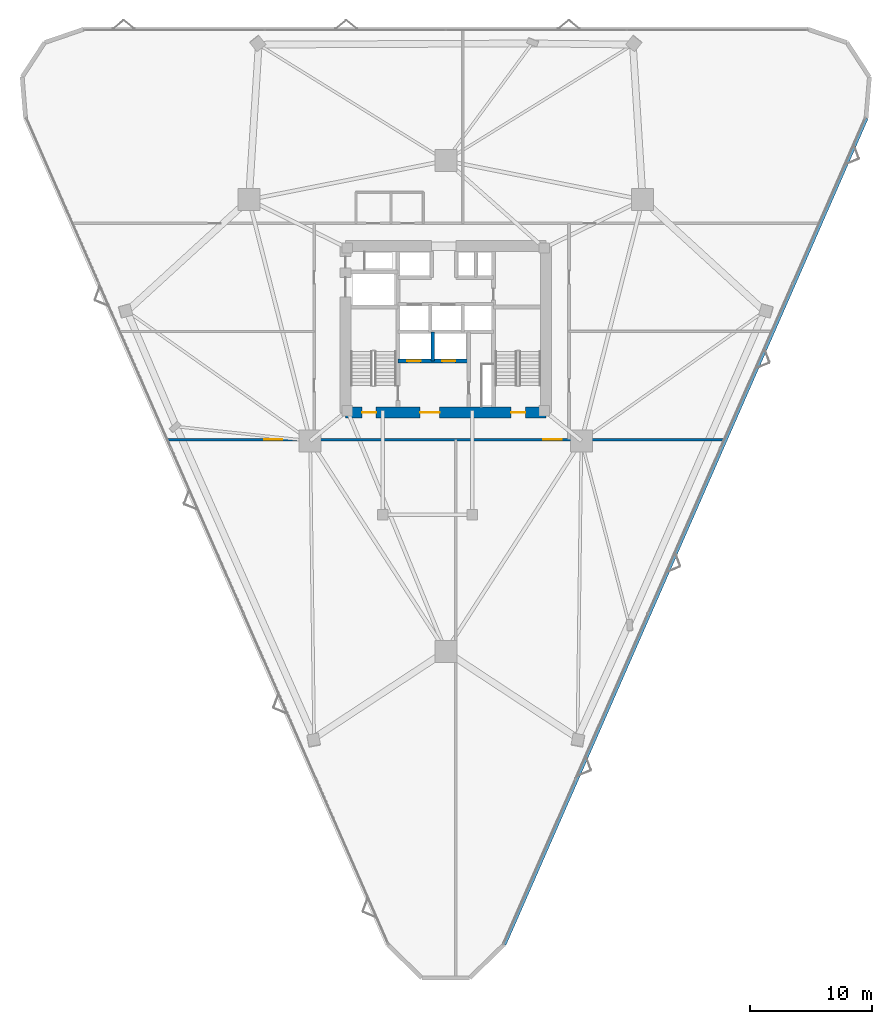
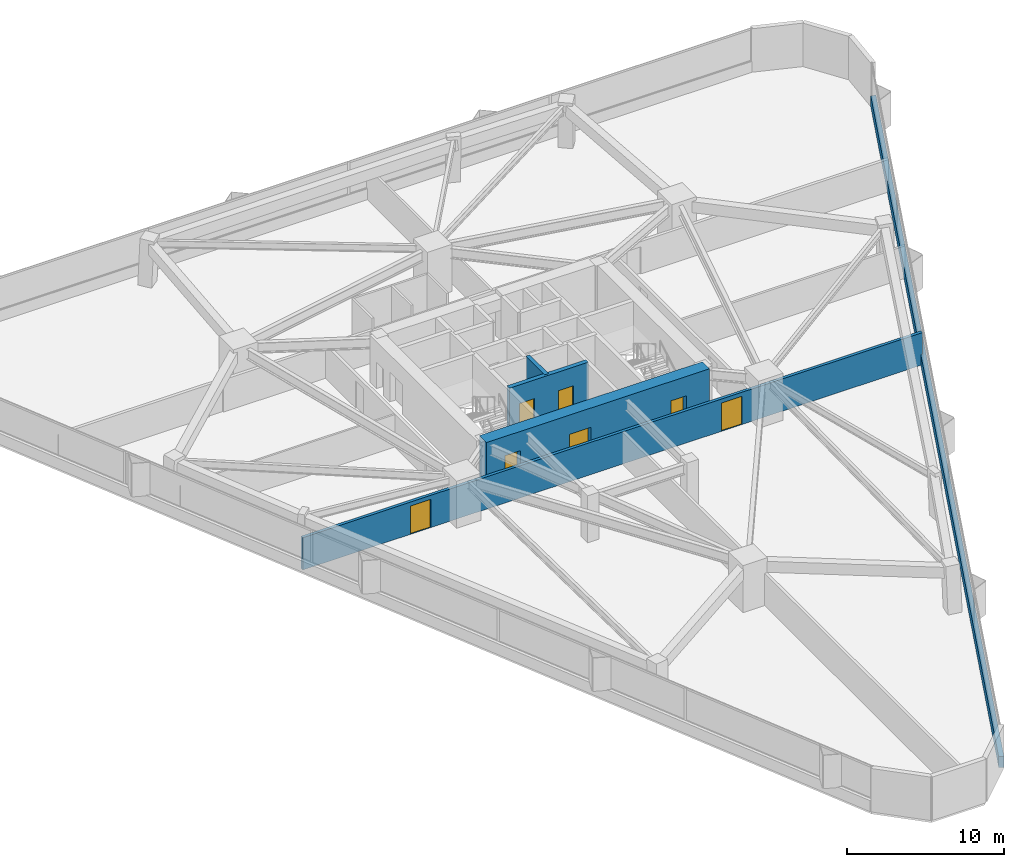
# One storey, part 18 of 20: 7 doors, 5 walls, 7 openings.
"""IFC4 building model written with IfcOpenShell, lengths in metres."""

import ifcopenshell
import ifcopenshell.guid

model = None  # the IFC model being written
_history = None  # IfcOwnerHistory: only IFC2X3 demands one
_inside = {}  # id of a spatial element -> (the spatial element, [elements in it])
_under = {}  # id of a project, library or spatial element -> (it, [spatial elements below it])
_declared = {}  # id of a project -> (the project, [libraries it declares])
_typed = {}  # id of a type object -> (the type object, [elements of that type])
_made_of = {}  # id of a material, layer set ... -> (it, [elements and type objects made of it])


def new_model(schema):
    """Start an empty IFC model of exactly this schema.

    Asked for "IFC4X3", IfcOpenShell would pick the latest addendum, in which some entities
    have other attributes; the version numbers below select the first issue.
    IFC2X3 requires an IfcOwnerHistory on every rooted entity: one is made here for all.
    """
    global model, _history
    if schema == "IFC4X3":
        model = ifcopenshell.file(schema_version=(4, 3, 0, 0))
    else:
        model = ifcopenshell.file(schema=schema)
    _inside.clear()
    _under.clear()
    _declared.clear()
    _typed.clear()
    _made_of.clear()
    _history = None
    if model.schema == "IFC2X3":
        org = make("IfcOrganization", Name="unknown")
        user = make(
            "IfcPersonAndOrganization",
            ThePerson=make("IfcPerson", FamilyName="unknown"),
            TheOrganization=org,
        )
        app = make(
            "IfcApplication",
            ApplicationDeveloper=org,
            Version="unknown",
            ApplicationFullName="unknown",
            ApplicationIdentifier="unknown",
        )
        _history = make(
            "IfcOwnerHistory",
            OwningUser=user,
            OwningApplication=app,
            ChangeAction="ADDED",
            CreationDate=0,
        )
    return model


def make(cls, **values):
    """One entity of the class cls with the attributes given. An attribute that is None is left unset."""
    return model.create_entity(
        cls, **{name: value for name, value in values.items() if value is not None}
    )


def rooted(cls, **values):
    """An entity with a GlobalId (a new one), such as an element, a storey or a relation."""
    return make(cls, GlobalId=ifcopenshell.guid.new(), OwnerHistory=_history, **values)


def si_unit(unit_type, name, prefix=None):
    """IfcSIUnit, for example si_unit("LENGTHUNIT", "METRE", prefix="MILLI")."""
    return make("IfcSIUnit", UnitType=unit_type, Prefix=prefix, Name=name)


def assignment(units):
    """IfcUnitAssignment: the units of a project."""
    return None if units is None else make("IfcUnitAssignment", Units=units)


def point(xyz):
    """IfcCartesianPoint."""
    return None if xyz is None else make("IfcCartesianPoint", Coordinates=xyz)


def direction(xyz):
    """IfcDirection."""
    return None if xyz is None else make("IfcDirection", DirectionRatios=xyz)


def frame(location, z_axis=None, x_axis=None):
    """IfcAxis2Placement3D, a coordinate frame: its origin and axes. An axis left out is left unset."""
    return make(
        "IfcAxis2Placement3D",
        Location=point(location),
        Axis=direction(z_axis),
        RefDirection=direction(x_axis),
    )


def frame_2d(location, x_axis=None):
    """IfcAxis2Placement2D, a coordinate frame in the plane: its origin and x axis."""
    return make(
        "IfcAxis2Placement2D", Location=point(location), RefDirection=direction(x_axis)
    )


def origin():
    """The frame at (0, 0, 0) with its axes left unset."""
    return frame((0.0, 0.0, 0.0))


def place(relative_to, where):
    """IfcLocalPlacement: puts the frame where relative to a parent placement (None: the world)."""
    return make(
        "IfcLocalPlacement", PlacementRelTo=relative_to, RelativePlacement=where
    )


def context(
    kind, dimensions, precision=None, world=None, true_north=None, identifier=None
):
    """IfcGeometricRepresentationContext, for example the 3D "Model" context."""
    return make(
        "IfcGeometricRepresentationContext",
        ContextIdentifier=identifier,
        ContextType=kind,
        CoordinateSpaceDimension=dimensions,
        Precision=precision,
        WorldCoordinateSystem=world,
        TrueNorth=true_north,
    )


def subcontext(parent, identifier, kind, view, scale=None):
    """IfcGeometricRepresentationSubContext, for example "Body" below "Model"."""
    return make(
        "IfcGeometricRepresentationSubContext",
        ContextIdentifier=identifier,
        ContextType=kind,
        ParentContext=parent,
        TargetScale=scale,
        TargetView=view,
    )


def project(units=None, contexts=None):
    """IfcProject with its units and contexts."""
    return rooted(
        "IfcProject",
        Name="project",
        RepresentationContexts=contexts,
        UnitsInContext=assignment(units),
    )


def spatial(cls, under=None, at=None, **own):
    """A site, building, storey or space (cls), placed at a placement, below another one or the project."""
    s = rooted(cls, ObjectPlacement=at, **own)
    if under is not None:
        _under.setdefault(under.id(), (under, []))[1].append(s)
    return s


def profile(cls, at=None, kind="AREA", **sizes):
    """A parametric profile (cls). Its sizes go by their IFC names, for example OverallWidth=200.0."""
    return make(cls, ProfileType=kind, Position=at, **sizes)


def rectangle(**sizes):
    """IfcRectangleProfileDef."""
    return profile("IfcRectangleProfileDef", **sizes)


def extrude(swept, where, along, depth):
    """IfcExtrudedAreaSolid: the profile swept, set in the frame where, extruded along a direction by depth."""
    return make(
        "IfcExtrudedAreaSolid",
        SweptArea=swept,
        Position=where,
        ExtrudedDirection=direction(along),
        Depth=depth,
    )


def shape(context_of_items, identifier, shape_type, items):
    """IfcShapeRepresentation: the items that make up one representation, for example the "Body"."""
    return make(
        "IfcShapeRepresentation",
        ContextOfItems=context_of_items,
        RepresentationIdentifier=identifier,
        RepresentationType=shape_type,
        Items=items,
    )


def material(Name=None, Category=None):
    """IfcMaterial."""
    return make("IfcMaterial", Name=Name, Category=Category)


def layer(
    of_material, thickness, ventilated=None, Name=None, Category=None, Priority=None
):
    """IfcMaterialLayer: one layer of a wall or slab, of a material (None: an air gap)."""
    return make(
        "IfcMaterialLayer",
        Material=of_material,
        LayerThickness=thickness,
        IsVentilated=ventilated,
        Name=Name,
        Category=Category,
        Priority=Priority,
    )


def layer_set(layers, Name=None):
    """IfcMaterialLayerSet."""
    return make("IfcMaterialLayerSet", MaterialLayers=layers, LayerSetName=Name)


def made_of(thing, what):
    """Note that an element or type object is made of a material, layer set ...; save() writes the relation."""
    if what is not None:
        _made_of.setdefault(what.id(), (what, []))[1].append(thing)
    return thing


def type_object(cls, material=None, **own):
    """A type object (cls), such as IfcWallType, which elements share."""
    return made_of(rooted(cls, **own), material)


def element(
    cls,
    number,
    at=None,
    inside=None,
    cuts=None,
    type_object=None,
    material=None,
    context=None,
    identifier="Body",
    shape_type=None,
    held_by="IfcProductDefinitionShape",
    body=None,
    shapes=None,
    **own,
):
    """One element of the class cls, such as IfcWall. Its Tag is "e" and its number.

    at: its placement. inside: the storey or other place that contains it. cuts: it is an
    opening in that element (IfcRelVoidsElement). A single representation is given by context,
    identifier, shape_type and body (its items); several are given by shapes. held_by: the class
    of the entity that holds the representations. save() writes the other relations.
    """
    e = rooted(cls, Tag="e%d" % number, ObjectPlacement=at, **own)
    if body is not None:
        shapes = [shape(context, identifier, shape_type, body)]
    if shapes is not None:
        e.Representation = make(held_by, Representations=shapes)
    if inside is not None:
        _inside.setdefault(inside.id(), (inside, []))[1].append(e)
    if cuts is not None:
        rooted(
            "IfcRelVoidsElement", RelatingBuildingElement=cuts, RelatedOpeningElement=e
        )
    if type_object is not None:
        _typed.setdefault(type_object.id(), (type_object, []))[1].append(e)
    return made_of(e, material)


def fill(opening, filler):
    """IfcRelFillsElement: the door or window that sits in an opening."""
    return rooted(
        "IfcRelFillsElement",
        RelatingOpeningElement=opening,
        RelatedBuildingElement=filler,
    )


def aggregate(whole, parts):
    """IfcRelAggregates: a whole, such as a stair, and the parts it consists of."""
    return rooted("IfcRelAggregates", RelatingObject=whole, RelatedObjects=parts)


def save(model, path):
    """Write the relations noted so far, then the file.

    IfcRelAggregates (storeys below a building ...), IfcRelContainedInSpatialStructure (elements
    in a storey), IfcRelDefinesByType, IfcRelAssociatesMaterial and IfcRelDeclares: one each for
    every whole, place, type object, material and project.
    """
    for whole, parts in _under.values():
        aggregate(whole, parts)
    for where, things in _inside.values():
        rooted(
            "IfcRelContainedInSpatialStructure",
            RelatedElements=things,
            RelatingStructure=where,
        )
    for kind, things in _typed.values():
        rooted("IfcRelDefinesByType", RelatedObjects=things, RelatingType=kind)
    for what, things in _made_of.values():
        rooted("IfcRelAssociatesMaterial", RelatedObjects=things, RelatingMaterial=what)
    for by, libraries in _declared.values():
        rooted("IfcRelDeclares", RelatingContext=by, RelatedDefinitions=libraries)
    model.write(path)


model = new_model("IFC4")

# Units and contexts
model_context = context("Model", 3, precision=1e-05, world=origin(), true_north=direction((0.0, 1.0)))
body_context = subcontext(model_context, "Body", "Model", "MODEL_VIEW")
ifc_project = project(units=[si_unit("LENGTHUNIT", "METRE"), si_unit("AREAUNIT", "SQUARE_METRE"), si_unit("VOLUMEUNIT", "CUBIC_METRE"), si_unit("PLANEANGLEUNIT", "RADIAN"), si_unit("MASSUNIT", "GRAM", prefix="KILO")], contexts=[model_context])

# Site, building, storey
site_placement = place(None, origin())
site = spatial("IfcSite", under=ifc_project, at=site_placement, CompositionType="ELEMENT")
building_placement = place(site_placement, origin())
building = spatial("IfcBuilding", under=site, at=building_placement, Name="Talyreon Biosciences Tower", CompositionType="ELEMENT")
storey_placement = place(building_placement, frame((0.0, 0.0, 26.449951171875)))
storey = spatial("IfcBuildingStorey", under=building, at=storey_placement, Name="L06", CompositionType="ELEMENT", Elevation=26.449951171875)

# Wall
ifc_material_1 = material(Name="Concrete C50/60", Category="concrete")
ifc_layer_1 = layer(ifc_material_1, 0.280029296875)
ifc_layer_set_1 = layer_set([ifc_layer_1], Name="Concrete C50/60")
wall_type_1 = type_object("IfcWallType", Name="CoreShearWall_280", PredefinedType="SHEAR", material=ifc_layer_set_1)
wall_1_placement = place(storey_placement, frame((64.919921875, 65.39990234375, 0.0), z_axis=(0.0, 0.0, 1.0), x_axis=(0.0, 1.0, 0.0)))
element("IfcWall", 1, at=wall_1_placement, inside=storey, type_object=wall_type_1, Name="L06 Core Shaft Wall SWSHD1", PredefinedType="SHEAR", context=body_context, shape_type="SweptSolid", body=[
    extrude(rectangle(XDim=2.400146484375, YDim=0.280029296875, at=frame_2d((1.2001953125, 0.0))), origin(), (0.0, 0.0, 1.0), 3.650146484375),
])

# Wall, openings, doors
ifc_layer_2 = layer(ifc_material_1, 0.320068359375)
ifc_layer_set_2 = layer_set([ifc_layer_2], Name="Concrete C50/60")
wall_type_2 = type_object("IfcWallType", Name="CoreShearWall_320", PredefinedType="SHEAR", material=ifc_layer_set_2)
wall_2_placement = place(storey_placement, frame((62.090087890625, 65.39990234375, 0.0), z_axis=(0.0, 0.0, 1.0), x_axis=(1.0, 0.0, 0.0)))
wall_2 = element("IfcWall", 2, at=wall_2_placement, inside=storey, type_object=wall_type_2, Name="L06 Core Shaft Wall SWFFN", PredefinedType="SHEAR", context=body_context, shape_type="SweptSolid", body=[
    extrude(rectangle(XDim=5.789794921875, YDim=0.320068359375, at=frame_2d((2.89501953125, 0.0))), origin(), (0.0, 0.0, 1.0), 3.650146484375),
])
opening_1_placement = place(wall_2_placement, frame((0.75, 0.0, 0.0)))
opening_1 = element("IfcOpeningElement", 3, at=opening_1_placement, cuts=wall_2, Name="Opening LD-L06-FL1", PredefinedType="OPENING", context=body_context, shape_type="SweptSolid", body=[
    extrude(rectangle(XDim=1.10009765625, YDim=2.199951171875, at=frame_2d((0.550048828125, 1.10009765625))), frame((0.0, 0.169921875, 0.0), z_axis=(0.0, -1.0, 0.0), x_axis=(1.0, 0.0, 0.0)), (0.0, 0.0, 1.0), 0.340087890625),
])
opening_2_placement = place(wall_2_placement, frame((3.60009765625, 0.0, 0.0)))
opening_2 = element("IfcOpeningElement", 4, at=opening_2_placement, cuts=wall_2, Name="Opening LD-L06-FL2", PredefinedType="OPENING", context=body_context, shape_type="SweptSolid", body=[
    extrude(rectangle(XDim=1.10009765625, YDim=2.199951171875, at=frame_2d((0.550048828125, 1.10009765625))), frame((0.0, 0.169921875, 0.0), z_axis=(0.0, -1.0, 0.0), x_axis=(1.0, 0.0, 0.0)), (0.0, 0.0, 1.0), 0.340087890625),
])
ifc_material_2 = material(Name="Brushed stainless-steel lift landing door", Category="steel")
door_type_1 = type_object("IfcDoorType", Name="LiftSlidingLandingDoor_1100x2200", OperationType="SLIDING_TO_LEFT", PredefinedType="DOOR", material=ifc_material_2)
door_1_placement = place(opening_1_placement, origin())
door_1 = element("IfcDoor", 5, at=door_1_placement, inside=storey, type_object=door_type_1, Name="L06 Core Door LD-L06-FL1", OperationType="SLIDING_TO_LEFT", OverallHeight=2.199951171875, OverallWidth=1.10009765625, PredefinedType="DOOR", context=body_context, shape_type="SweptSolid", body=[
    extrude(rectangle(XDim=1.10009765625, YDim=2.199951171875, at=frame_2d((0.550048828125, 1.10009765625))), frame((0.0, 0.02490234375, 0.0), z_axis=(0.0, -1.0, 0.0), x_axis=(1.0, 0.0, 0.0)), (0.0, 0.0, 1.0), 0.050048828125),
])
fill(opening_1, door_1)
door_2_placement = place(opening_2_placement, origin())
door_2 = element("IfcDoor", 6, at=door_2_placement, inside=storey, type_object=door_type_1, Name="L06 Core Door LD-L06-FL2", OperationType="SLIDING_TO_LEFT", OverallHeight=2.199951171875, OverallWidth=1.10009765625, PredefinedType="DOOR", context=body_context, shape_type="SweptSolid", body=[
    extrude(rectangle(XDim=1.10009765625, YDim=2.199951171875, at=frame_2d((0.550048828125, 1.10009765625))), frame((0.0, 0.02490234375, 0.0), z_axis=(0.0, -1.0, 0.0), x_axis=(1.0, 0.0, 0.0)), (0.0, 0.0, 1.0), 0.050048828125),
])
fill(opening_2, door_2)

ifc_material_3 = material(Name="Concrete C60/75", Category="concrete")
ifc_layer_3 = layer(ifc_material_3, 0.89990234375)
ifc_layer_set_3 = layer_set([ifc_layer_3], Name="Concrete C60/75")
wall_type_3 = type_object("IfcWallType", Name="CoreShearWall_900", PredefinedType="SHEAR", material=ifc_layer_set_3)
wall_3_placement = place(storey_placement, frame((57.800048828125, 61.199951171875, 0.0), z_axis=(0.0, 0.0, 1.0), x_axis=(1.0, 0.0, 0.0)))
wall_3 = element("IfcWall", 7, at=wall_3_placement, inside=storey, type_object=wall_type_3, Name="L06 Core Shear Wall S", PredefinedType="SHEAR", context=body_context, shape_type="SweptSolid", body=[
    extrude(rectangle(XDim=16.39990234375, YDim=0.89990234375, at=frame_2d((8.199951171875, 0.0))), origin(), (0.0, 0.0, 1.0), 3.650146484375),
])
opening_3_placement = place(wall_3_placement, frame((1.35009765625, 0.0, 0.0)))
opening_3 = element("IfcOpeningElement", 8, at=opening_3_placement, cuts=wall_3, Name="Opening DR-L06-ST1", PredefinedType="OPENING", context=body_context, shape_type="SweptSolid", body=[
    extrude(rectangle(XDim=1.14990234375, YDim=2.14990234375, at=frame_2d((0.574951171875, 1.074951171875))), frame((0.0, 0.4599609375, 0.0), z_axis=(0.0, -1.0, 0.0), x_axis=(1.0, 0.0, 0.0)), (0.0, 0.0, 1.0), 0.919921875),
])
opening_4_placement = place(wall_3_placement, frame((6.10009765625, 0.0, 0.0)))
opening_4 = element("IfcOpeningElement", 9, at=opening_4_placement, cuts=wall_3, Name="Opening DR-L06-FFL", PredefinedType="OPENING", context=body_context, shape_type="SweptSolid", body=[
    extrude(rectangle(XDim=1.60009765625, YDim=2.14990234375, at=frame_2d((0.800048828125, 1.074951171875))), frame((0.0, 0.4599609375, 0.0), z_axis=(0.0, -1.0, 0.0), x_axis=(1.0, 0.0, 0.0)), (0.0, 0.0, 1.0), 0.919921875),
])
opening_5_placement = place(wall_3_placement, frame((13.550048828125, 0.0, 0.0)))
opening_5 = element("IfcOpeningElement", 10, at=opening_5_placement, cuts=wall_3, Name="Opening DR-L06-ST2", PredefinedType="OPENING", context=body_context, shape_type="SweptSolid", body=[
    extrude(rectangle(XDim=1.14990234375, YDim=2.14990234375, at=frame_2d((0.574951171875, 1.074951171875))), frame((0.0, 0.4599609375, 0.0), z_axis=(0.0, -1.0, 0.0), x_axis=(1.0, 0.0, 0.0)), (0.0, 0.0, 1.0), 0.919921875),
])
ifc_material_4 = material(Name="Painted steel smoke-seal fire door", Category="steel")
door_type_2 = type_object("IfcDoorType", Name="FirefightingLobbyDoubleDoor_1600x2150", OperationType="DOUBLE_DOOR_SINGLE_SWING", PredefinedType="DOOR", material=ifc_material_4)
door_3_placement = place(opening_4_placement, origin())
door_3 = element("IfcDoor", 11, at=door_3_placement, inside=storey, type_object=door_type_2, Name="L06 Core Door DR-L06-FFL", OperationType="DOUBLE_DOOR_SINGLE_SWING", OverallHeight=2.14990234375, OverallWidth=1.60009765625, PredefinedType="DOOR", context=body_context, shape_type="SweptSolid", body=[
    extrude(rectangle(XDim=1.60009765625, YDim=2.14990234375, at=frame_2d((0.800048828125, 1.074951171875))), frame((0.0, 0.02490234375, 0.0), z_axis=(0.0, -1.0, 0.0), x_axis=(1.0, 0.0, 0.0)), (0.0, 0.0, 1.0), 0.050048828125),
])
fill(opening_4, door_3)
ifc_material_5 = material(Name="Painted steel fire door", Category="steel")
door_type_3 = type_object("IfcDoorType", Name="StairShaftFireDoor_1150x2150", OperationType="NOTDEFINED", PredefinedType="DOOR", material=ifc_material_5)
door_4_placement = place(opening_3_placement, origin())
door_4 = element("IfcDoor", 12, at=door_4_placement, inside=storey, type_object=door_type_3, Name="L06 Core Door DR-L06-ST1", OperationType="SINGLE_SWING_LEFT", OverallHeight=2.14990234375, OverallWidth=1.14990234375, PredefinedType="DOOR", context=body_context, shape_type="SweptSolid", body=[
    extrude(rectangle(XDim=1.14990234375, YDim=2.14990234375, at=frame_2d((0.574951171875, 1.074951171875))), frame((0.0, 0.02490234375, 0.0), z_axis=(0.0, -1.0, 0.0), x_axis=(1.0, 0.0, 0.0)), (0.0, 0.0, 1.0), 0.050048828125),
])
fill(opening_3, door_4)
door_5_placement = place(opening_5_placement, origin())
door_5 = element("IfcDoor", 13, at=door_5_placement, inside=storey, type_object=door_type_3, Name="L06 Core Door DR-L06-ST2", OperationType="SINGLE_SWING_RIGHT", OverallHeight=2.14990234375, OverallWidth=1.14990234375, PredefinedType="DOOR", context=body_context, shape_type="SweptSolid", body=[
    extrude(rectangle(XDim=1.14990234375, YDim=2.14990234375, at=frame_2d((0.574951171875, 1.074951171875))), frame((0.0, 0.02490234375, 0.0), z_axis=(0.0, -1.0, 0.0), x_axis=(1.0, 0.0, 0.0)), (0.0, 0.0, 1.0), 0.050048828125),
])
fill(opening_5, door_5)

ifc_material_6 = material(Name="Gypsum fireboard acoustic stud", Category="gypsum")
ifc_layer_4 = layer(ifc_material_6, 0.219970703125)
ifc_layer_set_4 = layer_set([ifc_layer_4], Name="Gypsum fireboard acoustic stud")
wall_type_4 = type_object("IfcWallType", Name="CorridorRatedPartition_220", PredefinedType="PARTITIONING", material=ifc_layer_set_4)
wall_4_placement = place(storey_placement, frame((43.237060546875, 58.97998046875, 0.0), z_axis=(0.0, 0.0, 1.0), x_axis=(1.0, 0.0, 0.0)))
wall_4 = element("IfcWall", 14, at=wall_4_placement, inside=storey, type_object=wall_type_4, Name="L06 Interior Wall IW-L06-COR-S", PredefinedType="PARTITIONING", context=body_context, shape_type="SweptSolid", body=[
    extrude(rectangle(XDim=45.52587890625, YDim=0.219970703125, at=frame_2d((22.762939453125, 0.0))), origin(), (0.0, 0.0, 1.0), 2.505126953125),
])
opening_6_placement = place(wall_4_placement, frame((7.90087890625, 0.0, 0.0)))
opening_6 = element("IfcOpeningElement", 15, at=opening_6_placement, cuts=wall_4, Name="Opening DR-L06-S1A", PredefinedType="OPENING", context=body_context, shape_type="SweptSolid", body=[
    extrude(rectangle(XDim=1.5, YDim=2.199951171875, at=frame_2d((0.75, 1.10009765625))), frame((0.0, 0.119873046875, 0.0), z_axis=(0.0, -1.0, 0.0), x_axis=(1.0, 0.0, 0.0)), (0.0, 0.0, 1.0), 0.239990234375),
])
opening_7_placement = place(wall_4_placement, frame((30.7529296875, 0.0, 0.0)))
opening_7 = element("IfcOpeningElement", 16, at=opening_7_placement, cuts=wall_4, Name="Opening DR-L06-S2A", PredefinedType="OPENING", context=body_context, shape_type="SweptSolid", body=[
    extrude(rectangle(XDim=1.5, YDim=2.199951171875, at=frame_2d((0.75, 1.10009765625))), frame((0.0, 0.119873046875, 0.0), z_axis=(0.0, -1.0, 0.0), x_axis=(1.0, 0.0, 0.0)), (0.0, 0.0, 1.0), 0.239990234375),
])
ifc_material_7 = material(Name="Vision-panel steel laboratory fire door", Category="steel")
door_type_4 = type_object("IfcDoorType", Name="WetLabDoubleLeafDoor_1500x2200", OperationType="DOUBLE_DOOR_SINGLE_SWING", PredefinedType="DOOR", material=ifc_material_7)
door_6_placement = place(opening_6_placement, origin())
door_6 = element("IfcDoor", 17, at=door_6_placement, inside=storey, type_object=door_type_4, Name="L06 Interior Door DR-L06-S1A", OperationType="DOUBLE_DOOR_SINGLE_SWING", OverallHeight=2.199951171875, OverallWidth=1.5, PredefinedType="DOOR", context=body_context, shape_type="SweptSolid", body=[
    extrude(rectangle(XDim=1.5, YDim=2.199951171875, at=frame_2d((0.75, 1.10009765625))), frame((0.0, 0.02490234375, 0.0), z_axis=(0.0, -1.0, 0.0), x_axis=(1.0, 0.0, 0.0)), (0.0, 0.0, 1.0), 0.050048828125),
])
fill(opening_6, door_6)
door_7_placement = place(opening_7_placement, origin())
door_7 = element("IfcDoor", 18, at=door_7_placement, inside=storey, type_object=door_type_4, Name="L06 Interior Door DR-L06-S2A", OperationType="DOUBLE_DOOR_SINGLE_SWING", OverallHeight=2.199951171875, OverallWidth=1.5, PredefinedType="DOOR", context=body_context, shape_type="SweptSolid", body=[
    extrude(rectangle(XDim=1.5, YDim=2.199951171875, at=frame_2d((0.75, 1.10009765625))), frame((0.0, 0.02490234375, 0.0), z_axis=(0.0, -1.0, 0.0), x_axis=(1.0, 0.0, 0.0)), (0.0, 0.0, 1.0), 0.050048828125),
])
fill(opening_7, door_7)

# Wall
ifc_material_8 = material(Name="Precast concrete C45/55", Category="concrete")
ifc_layer_5 = layer(ifc_material_8, 0.340087890625)
ifc_layer_set_5 = layer_set([ifc_layer_5], Name="Precast concrete C45/55")
wall_type_5 = type_object("IfcWallType", Name="PrecastConcreteSpandrelWall_340", PredefinedType="STANDARD", material=ifc_layer_set_5)
wall_5_placement = place(storey_placement, frame((100.37451171875, 85.267333984375, 0.0), z_axis=(0.0, 0.0, 1.0), x_axis=(-0.401347685244, -0.91592578059, 0.0)))
element("IfcWall", 19, at=wall_5_placement, inside=storey, type_object=wall_type_5, Name="L06 Expressed Concrete Sill Wall 08", PredefinedType="STANDARD", context=body_context, shape_type="SweptSolid", body=[
    extrude(rectangle(XDim=73.781005859375, YDim=0.340087890625, at=frame_2d((36.890625, 0.0))), origin(), (0.0, 0.0, 1.0), 0.85009765625),
])

save(model, "model.ifc")
